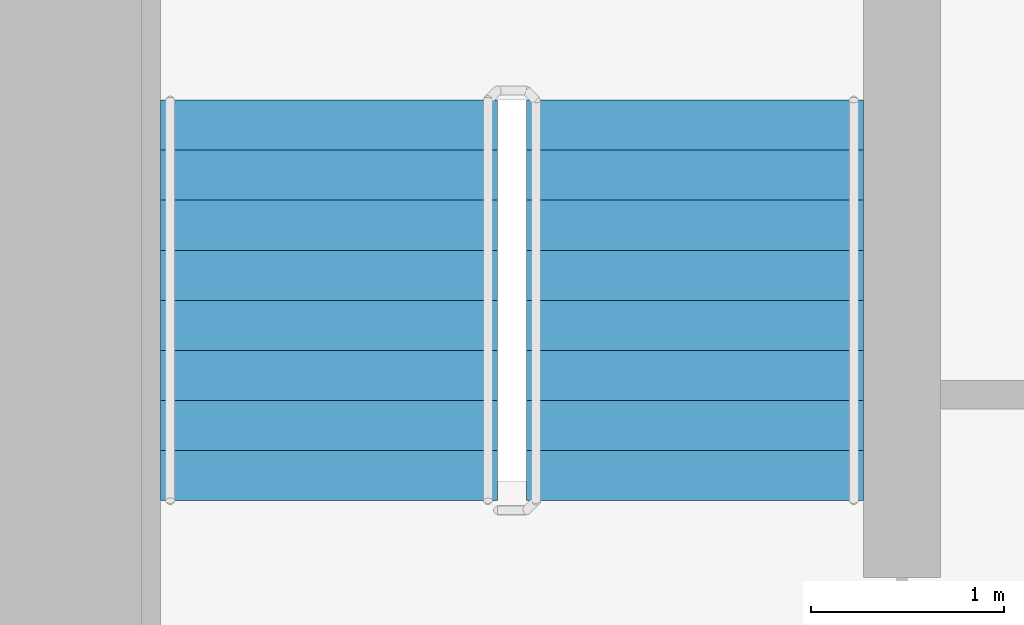
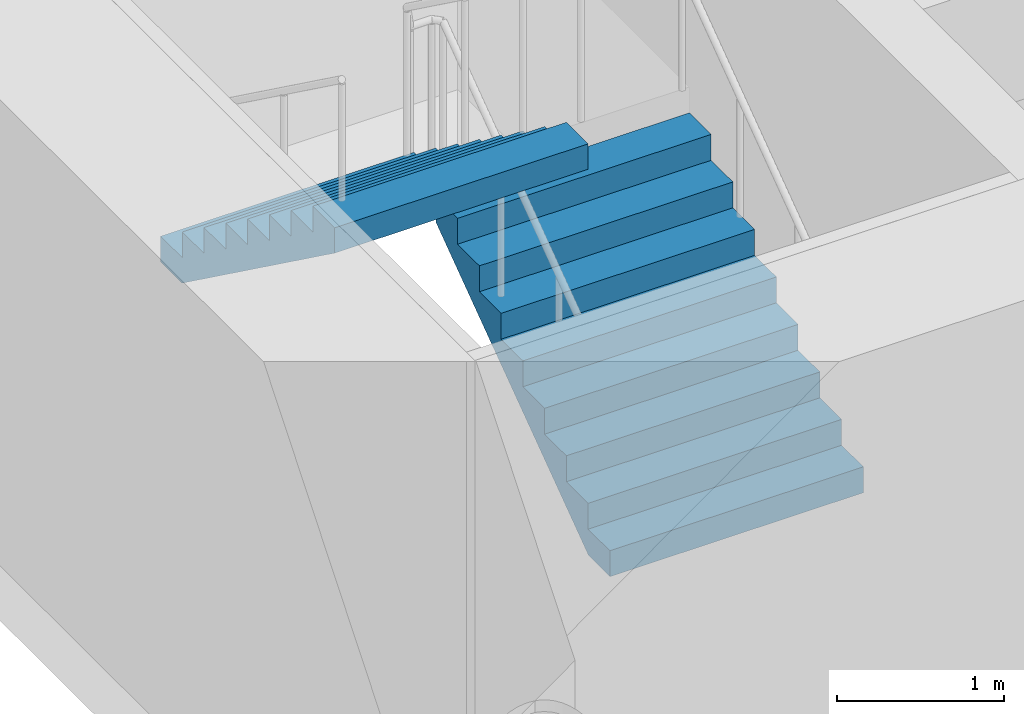
# One storey, part 19 of 21: 2 stair flights, 1 element without a shape of its own.
"""IFC4 building model written with IfcOpenShell, lengths in metres."""

import ifcopenshell
import ifcopenshell.guid

model = None  # the IFC model being written
_history = None  # IfcOwnerHistory: only IFC2X3 demands one
_inside = {}  # id of a spatial element -> (the spatial element, [elements in it])
_under = {}  # id of a project, library or spatial element -> (it, [spatial elements below it])
_declared = {}  # id of a project -> (the project, [libraries it declares])
_typed = {}  # id of a type object -> (the type object, [elements of that type])
_made_of = {}  # id of a material, layer set ... -> (it, [elements and type objects made of it])


def new_model(schema):
    """Start an empty IFC model of exactly this schema.

    Asked for "IFC4X3", IfcOpenShell would pick the latest addendum, in which some entities
    have other attributes; the version numbers below select the first issue.
    IFC2X3 requires an IfcOwnerHistory on every rooted entity: one is made here for all.
    """
    global model, _history
    if schema == "IFC4X3":
        model = ifcopenshell.file(schema_version=(4, 3, 0, 0))
    else:
        model = ifcopenshell.file(schema=schema)
    _inside.clear()
    _under.clear()
    _declared.clear()
    _typed.clear()
    _made_of.clear()
    _history = None
    if model.schema == "IFC2X3":
        org = make("IfcOrganization", Name="unknown")
        user = make(
            "IfcPersonAndOrganization",
            ThePerson=make("IfcPerson", FamilyName="unknown"),
            TheOrganization=org,
        )
        app = make(
            "IfcApplication",
            ApplicationDeveloper=org,
            Version="unknown",
            ApplicationFullName="unknown",
            ApplicationIdentifier="unknown",
        )
        _history = make(
            "IfcOwnerHistory",
            OwningUser=user,
            OwningApplication=app,
            ChangeAction="ADDED",
            CreationDate=0,
        )
    return model


def make(cls, **values):
    """One entity of the class cls with the attributes given. An attribute that is None is left unset."""
    return model.create_entity(
        cls, **{name: value for name, value in values.items() if value is not None}
    )


def rooted(cls, **values):
    """An entity with a GlobalId (a new one), such as an element, a storey or a relation."""
    return make(cls, GlobalId=ifcopenshell.guid.new(), OwnerHistory=_history, **values)


def si_unit(unit_type, name, prefix=None):
    """IfcSIUnit, for example si_unit("LENGTHUNIT", "METRE", prefix="MILLI")."""
    return make("IfcSIUnit", UnitType=unit_type, Prefix=prefix, Name=name)


def assignment(units):
    """IfcUnitAssignment: the units of a project."""
    return None if units is None else make("IfcUnitAssignment", Units=units)


def point(xyz):
    """IfcCartesianPoint."""
    return None if xyz is None else make("IfcCartesianPoint", Coordinates=xyz)


def direction(xyz):
    """IfcDirection."""
    return None if xyz is None else make("IfcDirection", DirectionRatios=xyz)


def frame(location, z_axis=None, x_axis=None):
    """IfcAxis2Placement3D, a coordinate frame: its origin and axes. An axis left out is left unset."""
    return make(
        "IfcAxis2Placement3D",
        Location=point(location),
        Axis=direction(z_axis),
        RefDirection=direction(x_axis),
    )


def origin():
    """The frame at (0, 0, 0) with its axes left unset."""
    return frame((0.0, 0.0, 0.0))


def place(relative_to, where):
    """IfcLocalPlacement: puts the frame where relative to a parent placement (None: the world)."""
    return make(
        "IfcLocalPlacement", PlacementRelTo=relative_to, RelativePlacement=where
    )


def context(
    kind, dimensions, precision=None, world=None, true_north=None, identifier=None
):
    """IfcGeometricRepresentationContext, for example the 3D "Model" context."""
    return make(
        "IfcGeometricRepresentationContext",
        ContextIdentifier=identifier,
        ContextType=kind,
        CoordinateSpaceDimension=dimensions,
        Precision=precision,
        WorldCoordinateSystem=world,
        TrueNorth=true_north,
    )


def subcontext(parent, identifier, kind, view, scale=None):
    """IfcGeometricRepresentationSubContext, for example "Body" below "Model"."""
    return make(
        "IfcGeometricRepresentationSubContext",
        ContextIdentifier=identifier,
        ContextType=kind,
        ParentContext=parent,
        TargetScale=scale,
        TargetView=view,
    )


def project(units=None, contexts=None):
    """IfcProject with its units and contexts."""
    return rooted(
        "IfcProject",
        Name="project",
        RepresentationContexts=contexts,
        UnitsInContext=assignment(units),
    )


def spatial(cls, under=None, at=None, **own):
    """A site, building, storey or space (cls), placed at a placement, below another one or the project."""
    s = rooted(cls, ObjectPlacement=at, **own)
    if under is not None:
        _under.setdefault(under.id(), (under, []))[1].append(s)
    return s


def faces_of(points, faces, orient=None, outer=None):
    """IfcFace entities. A face is a list of loops; a loop is a list of indices into points, from 0.

    orient and outer hold one flag for each loop. By default every Orientation is true, the
    first loop of a face is its IfcFaceOuterBound and the others are IfcFaceBound.
    """
    made = []
    for i, loops in enumerate(faces):
        bounds = []
        for j, loop in enumerate(loops):
            is_outer = j == 0 if outer is None else outer[i][j]
            bounds.append(
                make(
                    "IfcFaceOuterBound" if is_outer else "IfcFaceBound",
                    Bound=make("IfcPolyLoop", Polygon=[points[k] for k in loop]),
                    Orientation=True if orient is None else orient[i][j],
                )
            )
        made.append(make("IfcFace", Bounds=bounds))
    return made


def faceted_brep(points, faces, orient=None, outer=None, voids=None):
    """IfcFacetedBrep: a solid bounded by flat faces; with voids (closed shells), ...WithVoids."""
    shared = [point(p) for p in points]
    hull = make("IfcClosedShell", CfsFaces=faces_of(shared, faces, orient, outer))
    if voids is None:
        return make("IfcFacetedBrep", Outer=hull)
    return make(
        "IfcFacetedBrepWithVoids",
        Outer=hull,
        Voids=[
            make(cls, CfsFaces=faces_of(shared, fs, o, b)) for cls, fs, o, b in voids
        ],
    )


def shape(context_of_items, identifier, shape_type, items):
    """IfcShapeRepresentation: the items that make up one representation, for example the "Body"."""
    return make(
        "IfcShapeRepresentation",
        ContextOfItems=context_of_items,
        RepresentationIdentifier=identifier,
        RepresentationType=shape_type,
        Items=items,
    )


def material(Name=None, Category=None):
    """IfcMaterial."""
    return make("IfcMaterial", Name=Name, Category=Category)


def made_of(thing, what):
    """Note that an element or type object is made of a material, layer set ...; save() writes the relation."""
    if what is not None:
        _made_of.setdefault(what.id(), (what, []))[1].append(thing)
    return thing


def type_object(cls, material=None, **own):
    """A type object (cls), such as IfcWallType, which elements share."""
    return made_of(rooted(cls, **own), material)


def element(
    cls,
    number,
    at=None,
    inside=None,
    cuts=None,
    type_object=None,
    material=None,
    context=None,
    identifier="Body",
    shape_type=None,
    held_by="IfcProductDefinitionShape",
    body=None,
    shapes=None,
    **own,
):
    """One element of the class cls, such as IfcWall. Its Tag is "e" and its number.

    at: its placement. inside: the storey or other place that contains it. cuts: it is an
    opening in that element (IfcRelVoidsElement). A single representation is given by context,
    identifier, shape_type and body (its items); several are given by shapes. held_by: the class
    of the entity that holds the representations. save() writes the other relations.
    """
    e = rooted(cls, Tag="e%d" % number, ObjectPlacement=at, **own)
    if body is not None:
        shapes = [shape(context, identifier, shape_type, body)]
    if shapes is not None:
        e.Representation = make(held_by, Representations=shapes)
    if inside is not None:
        _inside.setdefault(inside.id(), (inside, []))[1].append(e)
    if cuts is not None:
        rooted(
            "IfcRelVoidsElement", RelatingBuildingElement=cuts, RelatedOpeningElement=e
        )
    if type_object is not None:
        _typed.setdefault(type_object.id(), (type_object, []))[1].append(e)
    return made_of(e, material)


def aggregate(whole, parts):
    """IfcRelAggregates: a whole, such as a stair, and the parts it consists of."""
    return rooted("IfcRelAggregates", RelatingObject=whole, RelatedObjects=parts)


def save(model, path):
    """Write the relations noted so far, then the file.

    IfcRelAggregates (storeys below a building ...), IfcRelContainedInSpatialStructure (elements
    in a storey), IfcRelDefinesByType, IfcRelAssociatesMaterial and IfcRelDeclares: one each for
    every whole, place, type object, material and project.
    """
    for whole, parts in _under.values():
        aggregate(whole, parts)
    for where, things in _inside.values():
        rooted(
            "IfcRelContainedInSpatialStructure",
            RelatedElements=things,
            RelatingStructure=where,
        )
    for kind, things in _typed.values():
        rooted("IfcRelDefinesByType", RelatedObjects=things, RelatingType=kind)
    for what, things in _made_of.values():
        rooted("IfcRelAssociatesMaterial", RelatedObjects=things, RelatingMaterial=what)
    for by, libraries in _declared.values():
        rooted("IfcRelDeclares", RelatingContext=by, RelatedDefinitions=libraries)
    model.write(path)


model = new_model("IFC4")

# Units and contexts
model_context = context("Model", 3, precision=1e-05, world=origin(), true_north=direction((0.0, 1.0)))
body_context = subcontext(model_context, "Body", "Model", "MODEL_VIEW")
ifc_project = project(units=[si_unit("LENGTHUNIT", "METRE"), si_unit("AREAUNIT", "SQUARE_METRE"), si_unit("VOLUMEUNIT", "CUBIC_METRE"), si_unit("PLANEANGLEUNIT", "RADIAN"), si_unit("MASSUNIT", "GRAM", prefix="KILO")], contexts=[model_context])

# Site, building, storey
site_placement = place(None, origin())
site = spatial("IfcSite", under=ifc_project, at=site_placement, CompositionType="ELEMENT")
building_placement = place(site_placement, origin())
building = spatial("IfcBuilding", under=site, at=building_placement, Name="Ipe Terrace Towers", CompositionType="ELEMENT")
storey_placement = place(building_placement, frame((0.0, 0.0, 34.699951171875)))
storey = spatial("IfcBuildingStorey", under=building, at=storey_placement, Name="L08", CompositionType="ELEMENT", Elevation=34.699951171875)

# Stair, stair flights
ifc_material_1 = material(Name="Concrete C30/37", Category="concrete")
stair_type = type_object("IfcStairType", Name="Protected exit stair", PredefinedType="HALF_TURN_STAIR", material=ifc_material_1)
stair_placement = place(storey_placement, origin())
stair = element("IfcStair", 1, at=stair_placement, inside=storey, type_object=stair_type, Name="L08 Exit stair T2-C1", PredefinedType="HALF_TURN_STAIR")
ifc_material_2 = material(Name="Concrete C30/37", Category="concrete")
stair_flight_type = type_object("IfcStairFlightType", Name="Exit stair flight 1750", PredefinedType="STRAIGHT", material=ifc_material_2)
stair_flight_1_placement = place(storey_placement, frame((33.22509765625, 9.699951171875, 0.0), z_axis=(0.0, 0.0, 1.0), x_axis=(0.0, 1.0, 0.0)))
stair_flight_1 = element("IfcStairFlight", 2, at=stair_flight_1_placement, type_object=stair_flight_type, Name="T2-ST1 flight 1", NumberOfRisers=9, NumberOfTreads=8, PredefinedType="STRAIGHT", RiserHeight=0.188888889, TreadLength=0.26, context=body_context, shape_type="Brep", body=[
    faceted_brep([(0.255126953125, -0.875, 0.0), (2.080078125, -0.875, 1.325927734375), (2.080078125, -0.875, 1.51123046875), (1.820068359375, -0.875, 1.51123046875), (1.820068359375, -0.875, 1.322265625), (1.56005859375, -0.875, 1.322265625), (1.56005859375, -0.875, 1.13330078125), (1.300048828125, -0.875, 1.13330078125), (1.300048828125, -0.875, 0.9443359375), (1.0400390625, -0.875, 0.9443359375), (1.0400390625, -0.875, 0.755615234375), (0.780029296875, -0.875, 0.755615234375), (0.780029296875, -0.875, 0.566650390625), (0.52001953125, -0.875, 0.566650390625), (0.52001953125, -0.875, 0.377685546875), (0.260009765625, -0.875, 0.377685546875), (0.260009765625, -0.875, 0.18896484375), (0.0, -0.875, 0.18896484375), (0.0, -0.875, 0.0), (0.0, 0.875, 0.0), (0.0, 0.875, 0.18896484375), (0.260009765625, 0.875, 0.18896484375), (0.260009765625, 0.875, 0.377685546875), (0.52001953125, 0.875, 0.377685546875), (0.52001953125, 0.875, 0.566650390625), (0.780029296875, 0.875, 0.566650390625), (0.780029296875, 0.875, 0.755615234375), (1.0400390625, 0.875, 0.755615234375), (1.0400390625, 0.875, 0.9443359375), (1.300048828125, 0.875, 0.9443359375), (1.300048828125, 0.875, 1.13330078125), (1.56005859375, 0.875, 1.13330078125), (1.56005859375, 0.875, 1.322265625), (1.820068359375, 0.875, 1.322265625), (1.820068359375, 0.875, 1.51123046875), (2.080078125, 0.875, 1.51123046875), (2.080078125, 0.875, 1.325927734375), (0.255126953125, 0.875, 0.0), (0.0, -0.300048828125, 0.18896484375), (0.0, -0.1201171875, 0.18896484375), (0.0, -0.06005859375, 0.18896484375), (0.0, -0.030029296875, 0.18896484375), (0.0, -0.010009765625, 0.18896484375), (0.0, 0.0, 0.18896484375), (0.0, 0.010009765625, 0.18896484375), (0.0, 0.030029296875, 0.18896484375), (0.0, 0.06005859375, 0.18896484375), (0.0, 0.1201171875, 0.18896484375), (0.0, 0.300048828125, 0.18896484375), (0.0, 0.300048828125, 0.0), (0.0, 0.1201171875, 0.0), (0.0, 0.06005859375, 0.0), (0.0, 0.030029296875, 0.0), (0.0, 0.010009765625, 0.0), (0.0, 0.0, 0.0), (0.0, -0.010009765625, 0.0), (0.0, -0.030029296875, 0.0), (0.0, -0.06005859375, 0.0), (0.0, -0.1201171875, 0.0), (0.0, -0.300048828125, 0.0), (0.260009765625, -0.300048828125, 0.18896484375), (0.260009765625, -0.1201171875, 0.18896484375), (0.260009765625, -0.06005859375, 0.18896484375), (0.260009765625, -0.030029296875, 0.18896484375), (0.260009765625, -0.010009765625, 0.18896484375), (0.260009765625, 0.0, 0.18896484375), (0.260009765625, 0.010009765625, 0.18896484375), (0.260009765625, 0.030029296875, 0.18896484375), (0.260009765625, 0.06005859375, 0.18896484375), (0.260009765625, 0.1201171875, 0.18896484375), (0.260009765625, 0.300048828125, 0.18896484375), (0.260009765625, -0.300048828125, 0.377685546875), (0.260009765625, -0.1201171875, 0.377685546875), (0.260009765625, -0.06005859375, 0.377685546875), (0.260009765625, -0.030029296875, 0.377685546875), (0.260009765625, -0.010009765625, 0.377685546875), (0.260009765625, 0.0, 0.377685546875), (0.260009765625, 0.010009765625, 0.377685546875), (0.260009765625, 0.030029296875, 0.377685546875), (0.260009765625, 0.06005859375, 0.377685546875), (0.260009765625, 0.1201171875, 0.377685546875), (0.260009765625, 0.300048828125, 0.377685546875), (0.52001953125, -0.300048828125, 0.377685546875), (0.52001953125, -0.1201171875, 0.377685546875), (0.52001953125, -0.06005859375, 0.377685546875), (0.52001953125, -0.030029296875, 0.377685546875), (0.52001953125, -0.010009765625, 0.377685546875), (0.52001953125, 0.0, 0.377685546875), (0.52001953125, 0.010009765625, 0.377685546875), (0.52001953125, 0.030029296875, 0.377685546875), (0.52001953125, 0.06005859375, 0.377685546875), (0.52001953125, 0.1201171875, 0.377685546875), (0.52001953125, 0.300048828125, 0.377685546875), (0.52001953125, -0.300048828125, 0.566650390625), (0.52001953125, -0.1201171875, 0.566650390625), (0.52001953125, -0.06005859375, 0.566650390625), (0.52001953125, -0.030029296875, 0.566650390625), (0.52001953125, -0.010009765625, 0.566650390625), (0.52001953125, 0.0, 0.566650390625), (0.52001953125, 0.010009765625, 0.566650390625), (0.52001953125, 0.030029296875, 0.566650390625), (0.52001953125, 0.06005859375, 0.566650390625), (0.52001953125, 0.1201171875, 0.566650390625), (0.52001953125, 0.300048828125, 0.566650390625), (0.780029296875, -0.300048828125, 0.566650390625), (0.780029296875, -0.1201171875, 0.566650390625), (0.780029296875, -0.06005859375, 0.566650390625), (0.780029296875, -0.030029296875, 0.566650390625), (0.780029296875, -0.010009765625, 0.566650390625), (0.780029296875, 0.0, 0.566650390625), (0.780029296875, 0.010009765625, 0.566650390625), (0.780029296875, 0.030029296875, 0.566650390625), (0.780029296875, 0.06005859375, 0.566650390625), (0.780029296875, 0.1201171875, 0.566650390625), (0.780029296875, 0.300048828125, 0.566650390625), (0.780029296875, -0.300048828125, 0.755615234375), (0.780029296875, -0.1201171875, 0.755615234375), (0.780029296875, -0.06005859375, 0.755615234375), (0.780029296875, -0.030029296875, 0.755615234375), (0.780029296875, -0.010009765625, 0.755615234375), (0.780029296875, 0.0, 0.755615234375), (0.780029296875, 0.010009765625, 0.755615234375), (0.780029296875, 0.030029296875, 0.755615234375), (0.780029296875, 0.06005859375, 0.755615234375), (0.780029296875, 0.1201171875, 0.755615234375), (0.780029296875, 0.300048828125, 0.755615234375), (1.0400390625, -0.300048828125, 0.755615234375), (1.0400390625, -0.1201171875, 0.755615234375), (1.0400390625, -0.06005859375, 0.755615234375), (1.0400390625, -0.030029296875, 0.755615234375), (1.0400390625, -0.010009765625, 0.755615234375), (1.0400390625, 0.0, 0.755615234375), (1.0400390625, 0.010009765625, 0.755615234375), (1.0400390625, 0.030029296875, 0.755615234375), (1.0400390625, 0.06005859375, 0.755615234375), (1.0400390625, 0.1201171875, 0.755615234375), (1.0400390625, 0.300048828125, 0.755615234375), (1.0400390625, -0.300048828125, 0.9443359375), (1.0400390625, -0.1201171875, 0.9443359375), (1.0400390625, -0.06005859375, 0.9443359375), (1.0400390625, -0.030029296875, 0.9443359375), (1.0400390625, -0.010009765625, 0.9443359375), (1.0400390625, 0.0, 0.9443359375), (1.0400390625, 0.010009765625, 0.9443359375), (1.0400390625, 0.030029296875, 0.9443359375), (1.0400390625, 0.06005859375, 0.9443359375), (1.0400390625, 0.1201171875, 0.9443359375), (1.0400390625, 0.300048828125, 0.9443359375), (1.300048828125, -0.300048828125, 0.9443359375), (1.300048828125, -0.1201171875, 0.9443359375), (1.300048828125, -0.06005859375, 0.9443359375), (1.300048828125, -0.030029296875, 0.9443359375), (1.300048828125, -0.010009765625, 0.9443359375), (1.300048828125, 0.0, 0.9443359375), (1.300048828125, 0.010009765625, 0.9443359375), (1.300048828125, 0.030029296875, 0.9443359375), (1.300048828125, 0.06005859375, 0.9443359375), (1.300048828125, 0.1201171875, 0.9443359375), (1.300048828125, 0.300048828125, 0.9443359375), (1.300048828125, -0.300048828125, 1.13330078125), (1.300048828125, -0.1201171875, 1.13330078125), (1.300048828125, -0.06005859375, 1.13330078125), (1.300048828125, -0.030029296875, 1.13330078125), (1.300048828125, -0.010009765625, 1.13330078125), (1.300048828125, 0.0, 1.13330078125), (1.300048828125, 0.010009765625, 1.13330078125), (1.300048828125, 0.030029296875, 1.13330078125), (1.300048828125, 0.06005859375, 1.13330078125), (1.300048828125, 0.1201171875, 1.13330078125), (1.300048828125, 0.300048828125, 1.13330078125), (1.56005859375, -0.300048828125, 1.13330078125), (1.56005859375, -0.1201171875, 1.13330078125), (1.56005859375, -0.06005859375, 1.13330078125), (1.56005859375, -0.030029296875, 1.13330078125), (1.56005859375, -0.010009765625, 1.13330078125), (1.56005859375, 0.0, 1.13330078125), (1.56005859375, 0.010009765625, 1.13330078125), (1.56005859375, 0.030029296875, 1.13330078125), (1.56005859375, 0.06005859375, 1.13330078125), (1.56005859375, 0.1201171875, 1.13330078125), (1.56005859375, 0.300048828125, 1.13330078125), (1.56005859375, -0.300048828125, 1.322265625), (1.56005859375, -0.1201171875, 1.322265625), (1.56005859375, -0.06005859375, 1.322265625), (1.56005859375, -0.030029296875, 1.322265625), (1.56005859375, -0.010009765625, 1.322265625), (1.56005859375, 0.0, 1.322265625), (1.56005859375, 0.010009765625, 1.322265625), (1.56005859375, 0.030029296875, 1.322265625), (1.56005859375, 0.06005859375, 1.322265625), (1.56005859375, 0.1201171875, 1.322265625), (1.56005859375, 0.300048828125, 1.322265625), (1.820068359375, -0.300048828125, 1.322265625), (1.820068359375, -0.1201171875, 1.322265625), (1.820068359375, -0.06005859375, 1.322265625), (1.820068359375, -0.030029296875, 1.322265625), (1.820068359375, -0.010009765625, 1.322265625), (1.820068359375, 0.0, 1.322265625), (1.820068359375, 0.010009765625, 1.322265625), (1.820068359375, 0.030029296875, 1.322265625), (1.820068359375, 0.06005859375, 1.322265625), (1.820068359375, 0.1201171875, 1.322265625), (1.820068359375, 0.300048828125, 1.322265625), (1.820068359375, -0.300048828125, 1.51123046875), (1.820068359375, -0.1201171875, 1.51123046875), (1.820068359375, -0.06005859375, 1.51123046875), (1.820068359375, -0.030029296875, 1.51123046875), (1.820068359375, -0.010009765625, 1.51123046875), (1.820068359375, 0.0, 1.51123046875), (1.820068359375, 0.010009765625, 1.51123046875), (1.820068359375, 0.030029296875, 1.51123046875), (1.820068359375, 0.06005859375, 1.51123046875), (1.820068359375, 0.1201171875, 1.51123046875), (1.820068359375, 0.300048828125, 1.51123046875), (2.080078125, -0.300048828125, 1.51123046875), (2.080078125, -0.1201171875, 1.51123046875), (2.080078125, -0.06005859375, 1.51123046875), (2.080078125, -0.030029296875, 1.51123046875), (2.080078125, -0.010009765625, 1.51123046875), (2.080078125, 0.0, 1.51123046875), (2.080078125, 0.010009765625, 1.51123046875), (2.080078125, 0.030029296875, 1.51123046875), (2.080078125, 0.06005859375, 1.51123046875), (2.080078125, 0.1201171875, 1.51123046875), (2.080078125, 0.300048828125, 1.51123046875), (2.080078125, -0.300048828125, 1.325927734375), (2.080078125, -0.1201171875, 1.325927734375), (2.080078125, -0.06005859375, 1.325927734375), (2.080078125, -0.030029296875, 1.325927734375), (2.080078125, -0.010009765625, 1.325927734375), (2.080078125, 0.0, 1.325927734375), (2.080078125, 0.010009765625, 1.325927734375), (2.080078125, 0.030029296875, 1.325927734375), (2.080078125, 0.06005859375, 1.325927734375), (2.080078125, 0.1201171875, 1.325927734375), (2.080078125, 0.300048828125, 1.325927734375), (0.255126953125, -0.300048828125, 0.0), (0.255126953125, -0.1201171875, 0.0), (0.255126953125, -0.06005859375, 0.0), (0.255126953125, -0.030029296875, 0.0), (0.255126953125, -0.010009765625, 0.0), (0.255126953125, 0.0, 0.0), (0.255126953125, 0.010009765625, 0.0), (0.255126953125, 0.030029296875, 0.0), (0.255126953125, 0.06005859375, 0.0), (0.255126953125, 0.1201171875, 0.0), (0.255126953125, 0.300048828125, 0.0)], [[[0, 1, 2, 3, 4, 5, 6, 7, 8, 9, 10, 11, 12, 13, 14, 15, 16, 17, 18]], [[19, 20, 21, 22, 23, 24, 25, 26, 27, 28, 29, 30, 31, 32, 33, 34, 35, 36, 37]], [[17, 38, 39, 40, 41, 42, 43, 44, 45, 46, 47, 48, 20, 19, 49, 50, 51, 52, 53, 54, 55, 56, 57, 58, 59, 18]], [[16, 60, 61, 62, 63, 64, 65, 66, 67, 68, 69, 70, 21, 20, 48, 47, 46, 45, 44, 43, 42, 41, 40, 39, 38, 17]], [[15, 71, 72, 73, 74, 75, 76, 77, 78, 79, 80, 81, 22, 21, 70, 69, 68, 67, 66, 65, 64, 63, 62, 61, 60, 16]], [[14, 82, 83, 84, 85, 86, 87, 88, 89, 90, 91, 92, 23, 22, 81, 80, 79, 78, 77, 76, 75, 74, 73, 72, 71, 15]], [[13, 93, 94, 95, 96, 97, 98, 99, 100, 101, 102, 103, 24, 23, 92, 91, 90, 89, 88, 87, 86, 85, 84, 83, 82, 14]], [[12, 104, 105, 106, 107, 108, 109, 110, 111, 112, 113, 114, 25, 24, 103, 102, 101, 100, 99, 98, 97, 96, 95, 94, 93, 13]], [[11, 115, 116, 117, 118, 119, 120, 121, 122, 123, 124, 125, 26, 25, 114, 113, 112, 111, 110, 109, 108, 107, 106, 105, 104, 12]], [[10, 126, 127, 128, 129, 130, 131, 132, 133, 134, 135, 136, 27, 26, 125, 124, 123, 122, 121, 120, 119, 118, 117, 116, 115, 11]], [[9, 137, 138, 139, 140, 141, 142, 143, 144, 145, 146, 147, 28, 27, 136, 135, 134, 133, 132, 131, 130, 129, 128, 127, 126, 10]], [[8, 148, 149, 150, 151, 152, 153, 154, 155, 156, 157, 158, 29, 28, 147, 146, 145, 144, 143, 142, 141, 140, 139, 138, 137, 9]], [[7, 159, 160, 161, 162, 163, 164, 165, 166, 167, 168, 169, 30, 29, 158, 157, 156, 155, 154, 153, 152, 151, 150, 149, 148, 8]], [[6, 170, 171, 172, 173, 174, 175, 176, 177, 178, 179, 180, 31, 30, 169, 168, 167, 166, 165, 164, 163, 162, 161, 160, 159, 7]], [[5, 181, 182, 183, 184, 185, 186, 187, 188, 189, 190, 191, 32, 31, 180, 179, 178, 177, 176, 175, 174, 173, 172, 171, 170, 6]], [[4, 192, 193, 194, 195, 196, 197, 198, 199, 200, 201, 202, 33, 32, 191, 190, 189, 188, 187, 186, 185, 184, 183, 182, 181, 5]], [[3, 203, 204, 205, 206, 207, 208, 209, 210, 211, 212, 213, 34, 33, 202, 201, 200, 199, 198, 197, 196, 195, 194, 193, 192, 4]], [[2, 214, 215, 216, 217, 218, 219, 220, 221, 222, 223, 224, 35, 34, 213, 212, 211, 210, 209, 208, 207, 206, 205, 204, 203, 3]], [[1, 225, 226, 227, 228, 229, 230, 231, 232, 233, 234, 235, 36, 35, 224, 223, 222, 221, 220, 219, 218, 217, 216, 215, 214, 2]], [[0, 236, 237, 238, 239, 240, 241, 242, 243, 244, 245, 246, 37, 36, 235, 234, 233, 232, 231, 230, 229, 228, 227, 226, 225, 1]], [[18, 59, 58, 57, 56, 55, 54, 53, 52, 51, 50, 49, 19, 37, 246, 245, 244, 243, 242, 241, 240, 239, 238, 237, 236, 0]]]),
])
stair_flight_2_placement = place(storey_placement, frame((31.324951171875, 11.780029296875, 1.699951171875), z_axis=(0.0, 0.0, 1.0), x_axis=(0.0, -1.0, 0.0)))
stair_flight_2 = element("IfcStairFlight", 3, at=stair_flight_2_placement, type_object=stair_flight_type, Name="T2-ST1 flight 2", NumberOfRisers=9, NumberOfTreads=8, PredefinedType="STRAIGHT", RiserHeight=0.188888889, TreadLength=0.26, context=body_context, shape_type="Brep", body=[
    faceted_brep([(0.255126953125, -0.875, 0.0), (2.080078125, -0.875, 1.325927734375), (2.080078125, -0.875, 1.51123046875), (1.820068359375, -0.875, 1.51123046875), (1.820068359375, -0.875, 1.322265625), (1.56005859375, -0.875, 1.322265625), (1.56005859375, -0.875, 1.13330078125), (1.300048828125, -0.875, 1.13330078125), (1.300048828125, -0.875, 0.9443359375), (1.0400390625, -0.875, 0.9443359375), (1.0400390625, -0.875, 0.755615234375), (0.780029296875, -0.875, 0.755615234375), (0.780029296875, -0.875, 0.566650390625), (0.52001953125, -0.875, 0.566650390625), (0.52001953125, -0.875, 0.377685546875), (0.260009765625, -0.875, 0.377685546875), (0.260009765625, -0.875, 0.18896484375), (0.0, -0.875, 0.18896484375), (0.0, -0.875, 0.0), (0.0, 0.875, 0.0), (0.0, 0.875, 0.18896484375), (0.260009765625, 0.875, 0.18896484375), (0.260009765625, 0.875, 0.377685546875), (0.52001953125, 0.875, 0.377685546875), (0.52001953125, 0.875, 0.566650390625), (0.780029296875, 0.875, 0.566650390625), (0.780029296875, 0.875, 0.755615234375), (1.0400390625, 0.875, 0.755615234375), (1.0400390625, 0.875, 0.9443359375), (1.300048828125, 0.875, 0.9443359375), (1.300048828125, 0.875, 1.13330078125), (1.56005859375, 0.875, 1.13330078125), (1.56005859375, 0.875, 1.322265625), (1.820068359375, 0.875, 1.322265625), (1.820068359375, 0.875, 1.51123046875), (2.080078125, 0.875, 1.51123046875), (2.080078125, 0.875, 1.325927734375), (0.255126953125, 0.875, 0.0), (0.0, -0.300048828125, 0.18896484375), (0.0, -0.1201171875, 0.18896484375), (0.0, -0.06005859375, 0.18896484375), (0.0, -0.030029296875, 0.18896484375), (0.0, -0.010009765625, 0.18896484375), (0.0, 0.0, 0.18896484375), (0.0, 0.010009765625, 0.18896484375), (0.0, 0.030029296875, 0.18896484375), (0.0, 0.06005859375, 0.18896484375), (0.0, 0.1201171875, 0.18896484375), (0.0, 0.300048828125, 0.18896484375), (0.0, 0.300048828125, 0.0), (0.0, 0.1201171875, 0.0), (0.0, 0.06005859375, 0.0), (0.0, 0.030029296875, 0.0), (0.0, 0.010009765625, 0.0), (0.0, 0.0, 0.0), (0.0, -0.010009765625, 0.0), (0.0, -0.030029296875, 0.0), (0.0, -0.06005859375, 0.0), (0.0, -0.1201171875, 0.0), (0.0, -0.300048828125, 0.0), (0.260009765625, -0.300048828125, 0.18896484375), (0.260009765625, -0.1201171875, 0.18896484375), (0.260009765625, -0.06005859375, 0.18896484375), (0.260009765625, -0.030029296875, 0.18896484375), (0.260009765625, -0.010009765625, 0.18896484375), (0.260009765625, 0.0, 0.18896484375), (0.260009765625, 0.010009765625, 0.18896484375), (0.260009765625, 0.030029296875, 0.18896484375), (0.260009765625, 0.06005859375, 0.18896484375), (0.260009765625, 0.1201171875, 0.18896484375), (0.260009765625, 0.300048828125, 0.18896484375), (0.260009765625, -0.300048828125, 0.377685546875), (0.260009765625, -0.1201171875, 0.377685546875), (0.260009765625, -0.06005859375, 0.377685546875), (0.260009765625, -0.030029296875, 0.377685546875), (0.260009765625, -0.010009765625, 0.377685546875), (0.260009765625, 0.0, 0.377685546875), (0.260009765625, 0.010009765625, 0.377685546875), (0.260009765625, 0.030029296875, 0.377685546875), (0.260009765625, 0.06005859375, 0.377685546875), (0.260009765625, 0.1201171875, 0.377685546875), (0.260009765625, 0.300048828125, 0.377685546875), (0.52001953125, -0.300048828125, 0.377685546875), (0.52001953125, -0.1201171875, 0.377685546875), (0.52001953125, -0.06005859375, 0.377685546875), (0.52001953125, -0.030029296875, 0.377685546875), (0.52001953125, -0.010009765625, 0.377685546875), (0.52001953125, 0.0, 0.377685546875), (0.52001953125, 0.010009765625, 0.377685546875), (0.52001953125, 0.030029296875, 0.377685546875), (0.52001953125, 0.06005859375, 0.377685546875), (0.52001953125, 0.1201171875, 0.377685546875), (0.52001953125, 0.300048828125, 0.377685546875), (0.52001953125, -0.300048828125, 0.566650390625), (0.52001953125, -0.1201171875, 0.566650390625), (0.52001953125, -0.06005859375, 0.566650390625), (0.52001953125, -0.030029296875, 0.566650390625), (0.52001953125, -0.010009765625, 0.566650390625), (0.52001953125, 0.0, 0.566650390625), (0.52001953125, 0.010009765625, 0.566650390625), (0.52001953125, 0.030029296875, 0.566650390625), (0.52001953125, 0.06005859375, 0.566650390625), (0.52001953125, 0.1201171875, 0.566650390625), (0.52001953125, 0.300048828125, 0.566650390625), (0.780029296875, -0.300048828125, 0.566650390625), (0.780029296875, -0.1201171875, 0.566650390625), (0.780029296875, -0.06005859375, 0.566650390625), (0.780029296875, -0.030029296875, 0.566650390625), (0.780029296875, -0.010009765625, 0.566650390625), (0.780029296875, 0.0, 0.566650390625), (0.780029296875, 0.010009765625, 0.566650390625), (0.780029296875, 0.030029296875, 0.566650390625), (0.780029296875, 0.06005859375, 0.566650390625), (0.780029296875, 0.1201171875, 0.566650390625), (0.780029296875, 0.300048828125, 0.566650390625), (0.780029296875, -0.300048828125, 0.755615234375), (0.780029296875, -0.1201171875, 0.755615234375), (0.780029296875, -0.06005859375, 0.755615234375), (0.780029296875, -0.030029296875, 0.755615234375), (0.780029296875, -0.010009765625, 0.755615234375), (0.780029296875, 0.0, 0.755615234375), (0.780029296875, 0.010009765625, 0.755615234375), (0.780029296875, 0.030029296875, 0.755615234375), (0.780029296875, 0.06005859375, 0.755615234375), (0.780029296875, 0.1201171875, 0.755615234375), (0.780029296875, 0.300048828125, 0.755615234375), (1.0400390625, -0.300048828125, 0.755615234375), (1.0400390625, -0.1201171875, 0.755615234375), (1.0400390625, -0.06005859375, 0.755615234375), (1.0400390625, -0.030029296875, 0.755615234375), (1.0400390625, -0.010009765625, 0.755615234375), (1.0400390625, 0.0, 0.755615234375), (1.0400390625, 0.010009765625, 0.755615234375), (1.0400390625, 0.030029296875, 0.755615234375), (1.0400390625, 0.06005859375, 0.755615234375), (1.0400390625, 0.1201171875, 0.755615234375), (1.0400390625, 0.300048828125, 0.755615234375), (1.0400390625, -0.300048828125, 0.9443359375), (1.0400390625, -0.1201171875, 0.9443359375), (1.0400390625, -0.06005859375, 0.9443359375), (1.0400390625, -0.030029296875, 0.9443359375), (1.0400390625, -0.010009765625, 0.9443359375), (1.0400390625, 0.0, 0.9443359375), (1.0400390625, 0.010009765625, 0.9443359375), (1.0400390625, 0.030029296875, 0.9443359375), (1.0400390625, 0.06005859375, 0.9443359375), (1.0400390625, 0.1201171875, 0.9443359375), (1.0400390625, 0.300048828125, 0.9443359375), (1.300048828125, -0.300048828125, 0.9443359375), (1.300048828125, -0.1201171875, 0.9443359375), (1.300048828125, -0.06005859375, 0.9443359375), (1.300048828125, -0.030029296875, 0.9443359375), (1.300048828125, -0.010009765625, 0.9443359375), (1.300048828125, 0.0, 0.9443359375), (1.300048828125, 0.010009765625, 0.9443359375), (1.300048828125, 0.030029296875, 0.9443359375), (1.300048828125, 0.06005859375, 0.9443359375), (1.300048828125, 0.1201171875, 0.9443359375), (1.300048828125, 0.300048828125, 0.9443359375), (1.300048828125, -0.300048828125, 1.13330078125), (1.300048828125, -0.1201171875, 1.13330078125), (1.300048828125, -0.06005859375, 1.13330078125), (1.300048828125, -0.030029296875, 1.13330078125), (1.300048828125, -0.010009765625, 1.13330078125), (1.300048828125, 0.0, 1.13330078125), (1.300048828125, 0.010009765625, 1.13330078125), (1.300048828125, 0.030029296875, 1.13330078125), (1.300048828125, 0.06005859375, 1.13330078125), (1.300048828125, 0.1201171875, 1.13330078125), (1.300048828125, 0.300048828125, 1.13330078125), (1.56005859375, -0.300048828125, 1.13330078125), (1.56005859375, -0.1201171875, 1.13330078125), (1.56005859375, -0.06005859375, 1.13330078125), (1.56005859375, -0.030029296875, 1.13330078125), (1.56005859375, -0.010009765625, 1.13330078125), (1.56005859375, 0.0, 1.13330078125), (1.56005859375, 0.010009765625, 1.13330078125), (1.56005859375, 0.030029296875, 1.13330078125), (1.56005859375, 0.06005859375, 1.13330078125), (1.56005859375, 0.1201171875, 1.13330078125), (1.56005859375, 0.300048828125, 1.13330078125), (1.56005859375, -0.300048828125, 1.322265625), (1.56005859375, -0.1201171875, 1.322265625), (1.56005859375, -0.06005859375, 1.322265625), (1.56005859375, -0.030029296875, 1.322265625), (1.56005859375, -0.010009765625, 1.322265625), (1.56005859375, 0.0, 1.322265625), (1.56005859375, 0.010009765625, 1.322265625), (1.56005859375, 0.030029296875, 1.322265625), (1.56005859375, 0.06005859375, 1.322265625), (1.56005859375, 0.1201171875, 1.322265625), (1.56005859375, 0.300048828125, 1.322265625), (1.820068359375, -0.300048828125, 1.322265625), (1.820068359375, -0.1201171875, 1.322265625), (1.820068359375, -0.06005859375, 1.322265625), (1.820068359375, -0.030029296875, 1.322265625), (1.820068359375, -0.010009765625, 1.322265625), (1.820068359375, 0.0, 1.322265625), (1.820068359375, 0.010009765625, 1.322265625), (1.820068359375, 0.030029296875, 1.322265625), (1.820068359375, 0.06005859375, 1.322265625), (1.820068359375, 0.1201171875, 1.322265625), (1.820068359375, 0.300048828125, 1.322265625), (1.820068359375, -0.300048828125, 1.51123046875), (1.820068359375, -0.1201171875, 1.51123046875), (1.820068359375, -0.06005859375, 1.51123046875), (1.820068359375, -0.030029296875, 1.51123046875), (1.820068359375, -0.010009765625, 1.51123046875), (1.820068359375, 0.0, 1.51123046875), (1.820068359375, 0.010009765625, 1.51123046875), (1.820068359375, 0.030029296875, 1.51123046875), (1.820068359375, 0.06005859375, 1.51123046875), (1.820068359375, 0.1201171875, 1.51123046875), (1.820068359375, 0.300048828125, 1.51123046875), (2.080078125, -0.300048828125, 1.51123046875), (2.080078125, -0.1201171875, 1.51123046875), (2.080078125, -0.06005859375, 1.51123046875), (2.080078125, -0.030029296875, 1.51123046875), (2.080078125, -0.010009765625, 1.51123046875), (2.080078125, 0.0, 1.51123046875), (2.080078125, 0.010009765625, 1.51123046875), (2.080078125, 0.030029296875, 1.51123046875), (2.080078125, 0.06005859375, 1.51123046875), (2.080078125, 0.1201171875, 1.51123046875), (2.080078125, 0.300048828125, 1.51123046875), (2.080078125, -0.300048828125, 1.325927734375), (2.080078125, -0.1201171875, 1.325927734375), (2.080078125, -0.06005859375, 1.325927734375), (2.080078125, -0.030029296875, 1.325927734375), (2.080078125, -0.010009765625, 1.325927734375), (2.080078125, 0.0, 1.325927734375), (2.080078125, 0.010009765625, 1.325927734375), (2.080078125, 0.030029296875, 1.325927734375), (2.080078125, 0.06005859375, 1.325927734375), (2.080078125, 0.1201171875, 1.325927734375), (2.080078125, 0.300048828125, 1.325927734375), (0.255126953125, -0.300048828125, 0.0), (0.255126953125, -0.1201171875, 0.0), (0.255126953125, -0.06005859375, 0.0), (0.255126953125, -0.030029296875, 0.0), (0.255126953125, -0.010009765625, 0.0), (0.255126953125, 0.0, 0.0), (0.255126953125, 0.010009765625, 0.0), (0.255126953125, 0.030029296875, 0.0), (0.255126953125, 0.06005859375, 0.0), (0.255126953125, 0.1201171875, 0.0), (0.255126953125, 0.300048828125, 0.0)], [[[0, 1, 2, 3, 4, 5, 6, 7, 8, 9, 10, 11, 12, 13, 14, 15, 16, 17, 18]], [[19, 20, 21, 22, 23, 24, 25, 26, 27, 28, 29, 30, 31, 32, 33, 34, 35, 36, 37]], [[17, 38, 39, 40, 41, 42, 43, 44, 45, 46, 47, 48, 20, 19, 49, 50, 51, 52, 53, 54, 55, 56, 57, 58, 59, 18]], [[16, 60, 61, 62, 63, 64, 65, 66, 67, 68, 69, 70, 21, 20, 48, 47, 46, 45, 44, 43, 42, 41, 40, 39, 38, 17]], [[15, 71, 72, 73, 74, 75, 76, 77, 78, 79, 80, 81, 22, 21, 70, 69, 68, 67, 66, 65, 64, 63, 62, 61, 60, 16]], [[14, 82, 83, 84, 85, 86, 87, 88, 89, 90, 91, 92, 23, 22, 81, 80, 79, 78, 77, 76, 75, 74, 73, 72, 71, 15]], [[13, 93, 94, 95, 96, 97, 98, 99, 100, 101, 102, 103, 24, 23, 92, 91, 90, 89, 88, 87, 86, 85, 84, 83, 82, 14]], [[12, 104, 105, 106, 107, 108, 109, 110, 111, 112, 113, 114, 25, 24, 103, 102, 101, 100, 99, 98, 97, 96, 95, 94, 93, 13]], [[11, 115, 116, 117, 118, 119, 120, 121, 122, 123, 124, 125, 26, 25, 114, 113, 112, 111, 110, 109, 108, 107, 106, 105, 104, 12]], [[10, 126, 127, 128, 129, 130, 131, 132, 133, 134, 135, 136, 27, 26, 125, 124, 123, 122, 121, 120, 119, 118, 117, 116, 115, 11]], [[9, 137, 138, 139, 140, 141, 142, 143, 144, 145, 146, 147, 28, 27, 136, 135, 134, 133, 132, 131, 130, 129, 128, 127, 126, 10]], [[8, 148, 149, 150, 151, 152, 153, 154, 155, 156, 157, 158, 29, 28, 147, 146, 145, 144, 143, 142, 141, 140, 139, 138, 137, 9]], [[7, 159, 160, 161, 162, 163, 164, 165, 166, 167, 168, 169, 30, 29, 158, 157, 156, 155, 154, 153, 152, 151, 150, 149, 148, 8]], [[6, 170, 171, 172, 173, 174, 175, 176, 177, 178, 179, 180, 31, 30, 169, 168, 167, 166, 165, 164, 163, 162, 161, 160, 159, 7]], [[5, 181, 182, 183, 184, 185, 186, 187, 188, 189, 190, 191, 32, 31, 180, 179, 178, 177, 176, 175, 174, 173, 172, 171, 170, 6]], [[4, 192, 193, 194, 195, 196, 197, 198, 199, 200, 201, 202, 33, 32, 191, 190, 189, 188, 187, 186, 185, 184, 183, 182, 181, 5]], [[3, 203, 204, 205, 206, 207, 208, 209, 210, 211, 212, 213, 34, 33, 202, 201, 200, 199, 198, 197, 196, 195, 194, 193, 192, 4]], [[2, 214, 215, 216, 217, 218, 219, 220, 221, 222, 223, 224, 35, 34, 213, 212, 211, 210, 209, 208, 207, 206, 205, 204, 203, 3]], [[1, 225, 226, 227, 228, 229, 230, 231, 232, 233, 234, 235, 36, 35, 224, 223, 222, 221, 220, 219, 218, 217, 216, 215, 214, 2]], [[0, 236, 237, 238, 239, 240, 241, 242, 243, 244, 245, 246, 37, 36, 235, 234, 233, 232, 231, 230, 229, 228, 227, 226, 225, 1]], [[18, 59, 58, 57, 56, 55, 54, 53, 52, 51, 50, 49, 19, 37, 246, 245, 244, 243, 242, 241, 240, 239, 238, 237, 236, 0]]]),
])
aggregate(stair, [stair_flight_1, stair_flight_2])

save(model, "model.ifc")
